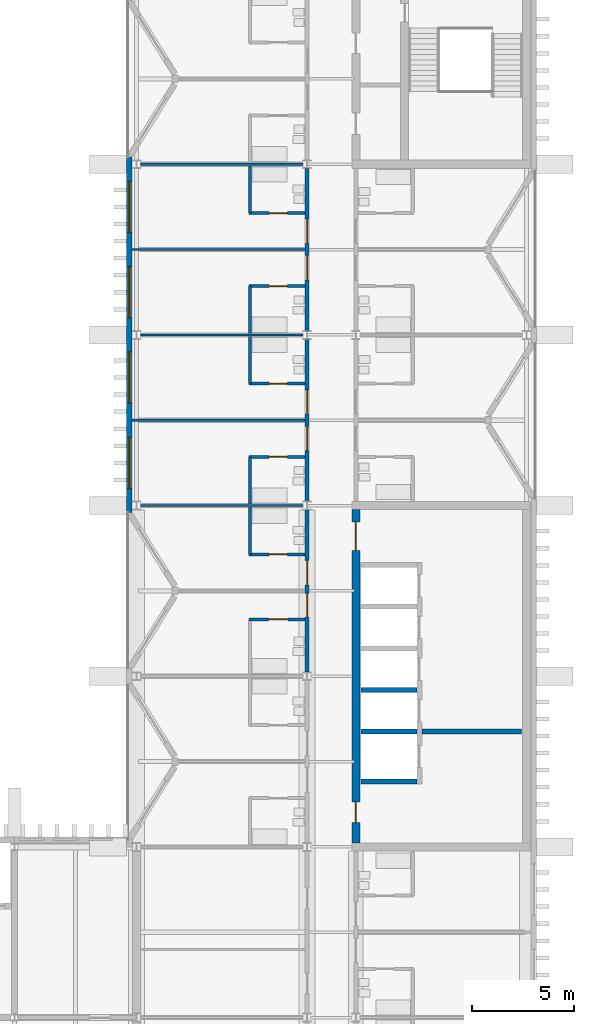
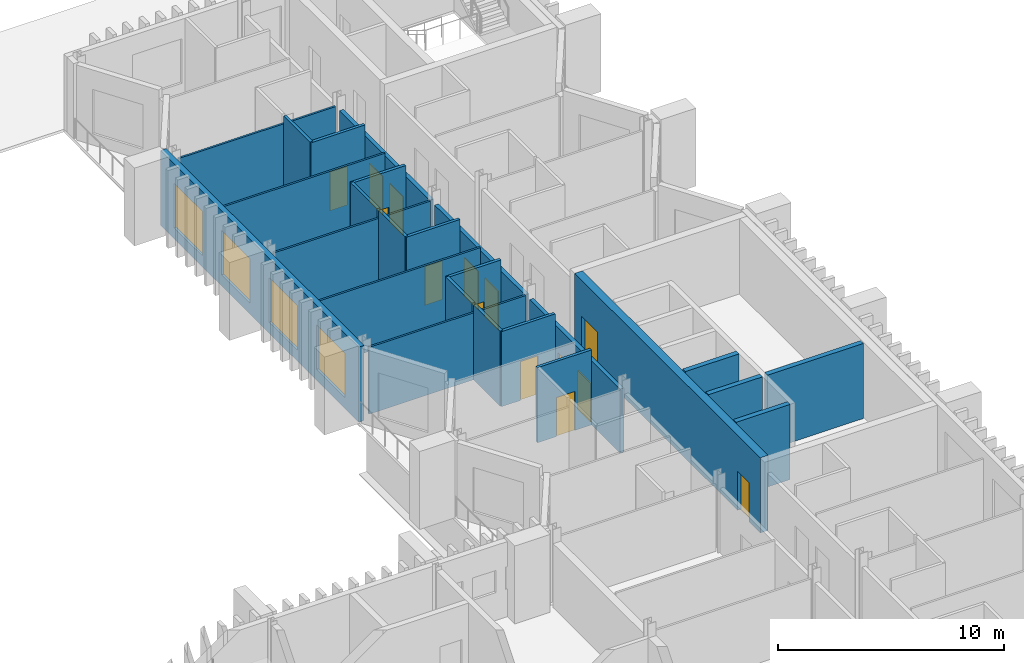
# One storey, part 76 of 100: 25 walls, 14 doors, 4 windows, 18 openings.
"""IFC4 building model written with IfcOpenShell, lengths in metres."""

from ifc_helpers import new_model, si_unit, direction, frame, frame_2d, origin, place, context, subcontext, project, spatial, rectangle, extrude, material, layer, layer_set, type_object, element, fill, save


model = new_model("IFC4")

# Units and contexts
model_context = context("Model", 3, precision=1e-05, world=origin(), true_north=direction((0.0, 1.0)))
body_context = subcontext(model_context, "Body", "Model", "MODEL_VIEW")
ifc_project = project(units=[si_unit("LENGTHUNIT", "METRE"), si_unit("AREAUNIT", "SQUARE_METRE"), si_unit("VOLUMEUNIT", "CUBIC_METRE"), si_unit("PLANEANGLEUNIT", "RADIAN"), si_unit("MASSUNIT", "GRAM", prefix="KILO")], contexts=[model_context])

# Site, building, storey
site_placement = place(None, origin())
site = spatial("IfcSite", under=ifc_project, at=site_placement, CompositionType="ELEMENT")
building_placement = place(site_placement, origin())
building = spatial("IfcBuilding", under=site, at=building_placement, Name="Cresset Court Congress Hotel", CompositionType="ELEMENT")
storey_placement = place(building_placement, frame((0.0, 0.0, 10.199951171875)))
storey = spatial("IfcBuildingStorey", under=building, at=storey_placement, Name="L02", CompositionType="ELEMENT", Elevation=10.199951171875)

# Wall, openings, doors
ifc_material_1 = material(Name="Gypsum board partition")
ifc_layer_1 = layer(ifc_material_1, 0.199951171875)
ifc_layer_set_1 = layer_set([ifc_layer_1], Name="Corridor wall 200")
wall_type_1 = type_object("IfcWallType", Name="Corridor wall 200", PredefinedType="PARTITIONING", material=ifc_layer_set_1)
wall_1_placement = place(storey_placement, frame((165.60009765625, 33.806884765625, 0.0), z_axis=(0.0, 0.0, 1.0), x_axis=(0.0, 1.0, 0.0)))
wall_1 = element("IfcWall", 1, at=wall_1_placement, inside=storey, type_object=wall_type_1, Name="A.wl.L02.065", PredefinedType="PARTITIONING", context=body_context, shape_type="SweptSolid", body=[
    extrude(rectangle(XDim=7.986083984375, YDim=0.199951171875, at=frame_2d((3.9931640625, 0.0))), origin(), (0.0, 0.0, 1.0), 3.449951171875),
])
opening_1_placement = place(wall_1_placement, frame((2.718017578125, 0.0, 0.0)))
opening_1 = element("IfcOpeningElement", 2, at=opening_1_placement, cuts=wall_1, Name="Opening DA-02-12", PredefinedType="OPENING", context=body_context, shape_type="SweptSolid", body=[
    extrude(rectangle(XDim=1.14990234375, YDim=2.10009765625, at=frame_2d((0.574951171875, 1.050048828125))), frame((0.0, 0.10986328125, 0.0), z_axis=(0.0, -1.0, 0.0), x_axis=(1.0, 0.0, 0.0)), (0.0, 0.0, 1.0), 0.219970703125),
])
opening_2_placement = place(wall_1_placement, frame((4.29296875, 0.0, 0.0)))
opening_2 = element("IfcOpeningElement", 3, at=opening_2_placement, cuts=wall_1, Name="Opening DA-02-14", PredefinedType="OPENING", context=body_context, shape_type="SweptSolid", body=[
    extrude(rectangle(XDim=1.199951171875, YDim=2.10009765625, at=frame_2d((0.60009765625, 1.050048828125))), frame((0.0, 0.10986328125, 0.0), z_axis=(0.0, -1.0, 0.0), x_axis=(1.0, 0.0, 0.0)), (0.0, 0.0, 1.0), 0.219970703125),
])
ifc_material_2 = material(Name="timber", Category="wood")
door_type_1 = type_object("IfcDoorType", Name="Accessible guest-room entry door 1150x2100 FD30S", OperationType="SINGLE_SWING_LEFT", PredefinedType="DOOR", material=ifc_material_2)
door_1_placement = place(opening_1_placement, origin())
door_1 = element("IfcDoor", 4, at=door_1_placement, inside=storey, type_object=door_type_1, Name="Door DA-02-12", OperationType="SINGLE_SWING_RIGHT", OverallHeight=2.10009765625, OverallWidth=1.14990234375, PredefinedType="DOOR", context=body_context, shape_type="SweptSolid", body=[
    extrude(rectangle(XDim=1.14990234375, YDim=2.10009765625, at=frame_2d((0.574951171875, 1.050048828125))), frame((0.0, 0.02490234375, 0.0), z_axis=(0.0, -1.0, 0.0), x_axis=(1.0, 0.0, 0.0)), (0.0, 0.0, 1.0), 0.050048828125),
])
fill(opening_1, door_1)
ifc_material_3 = material(Name="timber", Category="wood")
door_type_2 = type_object("IfcDoorType", Name="Guest-room entry door 1200x2100 FD30S", OperationType="SINGLE_SWING_LEFT", PredefinedType="DOOR", material=ifc_material_3)
door_2_placement = place(opening_2_placement, origin())
door_2 = element("IfcDoor", 5, at=door_2_placement, inside=storey, type_object=door_type_2, Name="Door DA-02-14", OperationType="SINGLE_SWING_LEFT", OverallHeight=2.10009765625, OverallWidth=1.199951171875, PredefinedType="DOOR", context=body_context, shape_type="SweptSolid", body=[
    extrude(rectangle(XDim=1.199951171875, YDim=2.10009765625, at=frame_2d((0.60009765625, 1.050048828125))), frame((0.0, 0.02490234375, 0.0), z_axis=(0.0, -1.0, 0.0), x_axis=(1.0, 0.0, 0.0)), (0.0, 0.0, 1.0), 0.050048828125),
])
fill(opening_2, door_2)

wall_2_placement = place(storey_placement, frame((165.60009765625, 42.20703125, 0.0), z_axis=(0.0, 0.0, 1.0), x_axis=(0.0, 1.0, 0.0)))
wall_2 = element("IfcWall", 6, at=wall_2_placement, inside=storey, type_object=wall_type_1, Name="A.wl.L02.066", PredefinedType="PARTITIONING", context=body_context, shape_type="SweptSolid", body=[
    extrude(rectangle(XDim=7.986083984375, YDim=0.199951171875, at=frame_2d((3.9931640625, 0.0))), origin(), (0.0, 0.0, 1.0), 3.449951171875),
])
opening_3_placement = place(wall_2_placement, frame((2.492919921875, 0.0, 0.0)))
opening_3 = element("IfcOpeningElement", 7, at=opening_3_placement, cuts=wall_2, Name="Opening DA-02-16", PredefinedType="OPENING", context=body_context, shape_type="SweptSolid", body=[
    extrude(rectangle(XDim=1.199951171875, YDim=2.10009765625, at=frame_2d((0.60009765625, 1.050048828125))), frame((0.0, 0.10986328125, 0.0), z_axis=(0.0, -1.0, 0.0), x_axis=(1.0, 0.0, 0.0)), (0.0, 0.0, 1.0), 0.219970703125),
])
opening_4_placement = place(wall_2_placement, frame((4.29296875, 0.0, 0.0)))
opening_4 = element("IfcOpeningElement", 8, at=opening_4_placement, cuts=wall_2, Name="Opening DA-02-18", PredefinedType="OPENING", context=body_context, shape_type="SweptSolid", body=[
    extrude(rectangle(XDim=1.199951171875, YDim=2.10009765625, at=frame_2d((0.60009765625, 1.050048828125))), frame((0.0, 0.10986328125, 0.0), z_axis=(0.0, -1.0, 0.0), x_axis=(1.0, 0.0, 0.0)), (0.0, 0.0, 1.0), 0.219970703125),
])
door_3_placement = place(opening_3_placement, origin())
door_3 = element("IfcDoor", 9, at=door_3_placement, inside=storey, type_object=door_type_2, Name="Door DA-02-16", OperationType="SINGLE_SWING_RIGHT", OverallHeight=2.10009765625, OverallWidth=1.199951171875, PredefinedType="DOOR", context=body_context, shape_type="SweptSolid", body=[
    extrude(rectangle(XDim=1.199951171875, YDim=2.10009765625, at=frame_2d((0.60009765625, 1.050048828125))), frame((0.0, 0.02490234375, 0.0), z_axis=(0.0, -1.0, 0.0), x_axis=(1.0, 0.0, 0.0)), (0.0, 0.0, 1.0), 0.050048828125),
])
fill(opening_3, door_3)
door_4_placement = place(opening_4_placement, origin())
door_4 = element("IfcDoor", 10, at=door_4_placement, inside=storey, type_object=door_type_2, Name="Door DA-02-18", OperationType="SINGLE_SWING_LEFT", OverallHeight=2.10009765625, OverallWidth=1.199951171875, PredefinedType="DOOR", context=body_context, shape_type="SweptSolid", body=[
    extrude(rectangle(XDim=1.199951171875, YDim=2.10009765625, at=frame_2d((0.60009765625, 1.050048828125))), frame((0.0, 0.02490234375, 0.0), z_axis=(0.0, -1.0, 0.0), x_axis=(1.0, 0.0, 0.0)), (0.0, 0.0, 1.0), 0.050048828125),
])
fill(opening_4, door_4)

wall_3_placement = place(storey_placement, frame((165.60009765625, 50.60693359375, 0.0), z_axis=(0.0, 0.0, 1.0), x_axis=(0.0, 1.0, 0.0)))
wall_3 = element("IfcWall", 11, at=wall_3_placement, inside=storey, type_object=wall_type_1, Name="A.wl.L02.067", PredefinedType="PARTITIONING", context=body_context, shape_type="SweptSolid", body=[
    extrude(rectangle(XDim=7.986083984375, YDim=0.199951171875, at=frame_2d((3.9931640625, 0.0))), origin(), (0.0, 0.0, 1.0), 3.449951171875),
])
opening_5_placement = place(wall_3_placement, frame((2.492919921875, 0.0, 0.0)))
opening_5 = element("IfcOpeningElement", 12, at=opening_5_placement, cuts=wall_3, Name="Opening DA-02-20", PredefinedType="OPENING", context=body_context, shape_type="SweptSolid", body=[
    extrude(rectangle(XDim=1.199951171875, YDim=2.10009765625, at=frame_2d((0.60009765625, 1.050048828125))), frame((0.0, 0.10986328125, 0.0), z_axis=(0.0, -1.0, 0.0), x_axis=(1.0, 0.0, 0.0)), (0.0, 0.0, 1.0), 0.219970703125),
])
opening_6_placement = place(wall_3_placement, frame((4.29296875, 0.0, 0.0)))
opening_6 = element("IfcOpeningElement", 13, at=opening_6_placement, cuts=wall_3, Name="Opening DA-02-22", PredefinedType="OPENING", context=body_context, shape_type="SweptSolid", body=[
    extrude(rectangle(XDim=1.199951171875, YDim=2.10009765625, at=frame_2d((0.60009765625, 1.050048828125))), frame((0.0, 0.10986328125, 0.0), z_axis=(0.0, -1.0, 0.0), x_axis=(1.0, 0.0, 0.0)), (0.0, 0.0, 1.0), 0.219970703125),
])
door_5_placement = place(opening_5_placement, origin())
door_5 = element("IfcDoor", 14, at=door_5_placement, inside=storey, type_object=door_type_2, Name="Door DA-02-20", OperationType="SINGLE_SWING_RIGHT", OverallHeight=2.10009765625, OverallWidth=1.199951171875, PredefinedType="DOOR", context=body_context, shape_type="SweptSolid", body=[
    extrude(rectangle(XDim=1.199951171875, YDim=2.10009765625, at=frame_2d((0.60009765625, 1.050048828125))), frame((0.0, 0.02490234375, 0.0), z_axis=(0.0, -1.0, 0.0), x_axis=(1.0, 0.0, 0.0)), (0.0, 0.0, 1.0), 0.050048828125),
])
fill(opening_5, door_5)
door_6_placement = place(opening_6_placement, origin())
door_6 = element("IfcDoor", 15, at=door_6_placement, inside=storey, type_object=door_type_2, Name="Door DA-02-22", OperationType="SINGLE_SWING_LEFT", OverallHeight=2.10009765625, OverallWidth=1.199951171875, PredefinedType="DOOR", context=body_context, shape_type="SweptSolid", body=[
    extrude(rectangle(XDim=1.199951171875, YDim=2.10009765625, at=frame_2d((0.60009765625, 1.050048828125))), frame((0.0, 0.02490234375, 0.0), z_axis=(0.0, -1.0, 0.0), x_axis=(1.0, 0.0, 0.0)), (0.0, 0.0, 1.0), 0.050048828125),
])
fill(opening_6, door_6)

# Wall, opening, door
ifc_material_4 = material(Name="Gypsum board partition")
ifc_layer_2 = layer(ifc_material_4, 0.14990234375)
ifc_layer_set_2 = layer_set([ifc_layer_2], Name="En-suite wall 150")
wall_type_2 = type_object("IfcWallType", Name="En-suite wall 150", PredefinedType="PARTITIONING", material=ifc_layer_set_2)
wall_4_placement = place(storey_placement, frame((162.75, 36.39990234375, 0.0), z_axis=(0.0, 0.0, 1.0), x_axis=(1.0, 0.0, 0.0)))
wall_4 = element("IfcWall", 16, at=wall_4_placement, inside=storey, type_object=wall_type_2, Name="A.wl.L02.006", PredefinedType="PARTITIONING", context=body_context, shape_type="SweptSolid", body=[
    extrude(rectangle(XDim=2.75, YDim=0.14990234375, at=frame_2d((1.375, 0.0))), origin(), (0.0, 0.0, 1.0), 4.050048828125),
])
opening_7_placement = place(wall_4_placement, frame((0.955078125, 0.0, 0.0)))
opening_7 = element("IfcOpeningElement", 17, at=opening_7_placement, cuts=wall_4, Name="Opening DA-02-11", PredefinedType="OPENING", context=body_context, shape_type="SweptSolid", body=[
    extrude(rectangle(XDim=0.949951171875, YDim=2.10009765625, at=frame_2d((0.47509765625, 1.050048828125))), frame((0.0, 0.0849609375, 0.0), z_axis=(0.0, -1.0, 0.0), x_axis=(1.0, 0.0, 0.0)), (0.0, 0.0, 1.0), 0.169921875),
])
ifc_material_5 = material(Name="timber", Category="wood")
door_type_3 = type_object("IfcDoorType", Name="Accessible en-suite door 950x2100", OperationType="SINGLE_SWING_LEFT", PredefinedType="DOOR", material=ifc_material_5)
door_7_placement = place(opening_7_placement, origin())
door_7 = element("IfcDoor", 18, at=door_7_placement, inside=storey, type_object=door_type_3, Name="Door DA-02-11", OperationType="SINGLE_SWING_RIGHT", OverallHeight=2.10009765625, OverallWidth=0.949951171875, PredefinedType="DOOR", context=body_context, shape_type="SweptSolid", body=[
    extrude(rectangle(XDim=0.949951171875, YDim=2.10009765625, at=frame_2d((0.47509765625, 1.050048828125))), frame((0.0, 0.02490234375, 0.0), z_axis=(0.0, -1.0, 0.0), x_axis=(1.0, 0.0, 0.0)), (0.0, 0.0, 1.0), 0.050048828125),
])
fill(opening_7, door_7)

# Wall
wall_5_placement = place(storey_placement, frame((162.800048828125, 39.60009765625, 0.0), z_axis=(0.0, 0.0, 1.0), x_axis=(0.0, 1.0, 0.0)))
element("IfcWall", 19, at=wall_5_placement, inside=storey, type_object=wall_type_2, Name="A.wl.L02.007", PredefinedType="PARTITIONING", context=body_context, shape_type="SweptSolid", body=[
    extrude(rectangle(XDim=2.324951171875, YDim=0.14990234375, at=frame_2d((1.16259765625, 0.0))), origin(), (0.0, 0.0, 1.0), 4.050048828125),
])

# Wall, opening, door
wall_6_placement = place(storey_placement, frame((162.75, 39.60009765625, 0.0), z_axis=(0.0, 0.0, 1.0), x_axis=(1.0, 0.0, 0.0)))
wall_6 = element("IfcWall", 20, at=wall_6_placement, inside=storey, type_object=wall_type_2, Name="A.wl.L02.008", PredefinedType="PARTITIONING", context=body_context, shape_type="SweptSolid", body=[
    extrude(rectangle(XDim=2.75, YDim=0.14990234375, at=frame_2d((1.375, 0.0))), origin(), (0.0, 0.0, 1.0), 4.050048828125),
])
opening_8_placement = place(wall_6_placement, frame((0.97998046875, 0.0, 0.0)))
opening_8 = element("IfcOpeningElement", 21, at=opening_8_placement, cuts=wall_6, Name="Opening DA-02-13", PredefinedType="OPENING", context=body_context, shape_type="SweptSolid", body=[
    extrude(rectangle(XDim=0.89990234375, YDim=2.10009765625, at=frame_2d((0.449951171875, 1.050048828125))), frame((0.0, 0.0849609375, 0.0), z_axis=(0.0, -1.0, 0.0), x_axis=(1.0, 0.0, 0.0)), (0.0, 0.0, 1.0), 0.169921875),
])
ifc_material_6 = material(Name="timber", Category="wood")
door_type_4 = type_object("IfcDoorType", Name="En-suite door 900x2100", OperationType="SINGLE_SWING_LEFT", PredefinedType="DOOR", material=ifc_material_6)
door_8_placement = place(opening_8_placement, origin())
door_8 = element("IfcDoor", 22, at=door_8_placement, inside=storey, type_object=door_type_4, Name="Door DA-02-13", OperationType="SINGLE_SWING_LEFT", OverallHeight=2.10009765625, OverallWidth=0.89990234375, PredefinedType="DOOR", context=body_context, shape_type="SweptSolid", body=[
    extrude(rectangle(XDim=0.89990234375, YDim=2.10009765625, at=frame_2d((0.449951171875, 1.050048828125))), frame((0.0, 0.02490234375, 0.0), z_axis=(0.0, -1.0, 0.0), x_axis=(1.0, 0.0, 0.0)), (0.0, 0.0, 1.0), 0.050048828125),
])
fill(opening_8, door_8)

# Wall
wall_7_placement = place(storey_placement, frame((162.800048828125, 42.074951171875, 0.0), z_axis=(0.0, 0.0, 1.0), x_axis=(0.0, 1.0, 0.0)))
element("IfcWall", 23, at=wall_7_placement, inside=storey, type_object=wall_type_2, Name="A.wl.L02.009", PredefinedType="PARTITIONING", context=body_context, shape_type="SweptSolid", body=[
    extrude(rectangle(XDim=2.324951171875, YDim=0.14990234375, at=frame_2d((1.16259765625, 0.0))), origin(), (0.0, 0.0, 1.0), 4.050048828125),
])

# Wall, opening, door
wall_8_placement = place(storey_placement, frame((162.75, 44.39990234375, 0.0), z_axis=(0.0, 0.0, 1.0), x_axis=(1.0, 0.0, 0.0)))
wall_8 = element("IfcWall", 24, at=wall_8_placement, inside=storey, type_object=wall_type_2, Name="A.wl.L02.010", PredefinedType="PARTITIONING", context=body_context, shape_type="SweptSolid", body=[
    extrude(rectangle(XDim=2.75, YDim=0.14990234375, at=frame_2d((1.375, 0.0))), origin(), (0.0, 0.0, 1.0), 4.050048828125),
])
opening_9_placement = place(wall_8_placement, frame((0.97998046875, 0.0, 0.0)))
opening_9 = element("IfcOpeningElement", 25, at=opening_9_placement, cuts=wall_8, Name="Opening DA-02-15", PredefinedType="OPENING", context=body_context, shape_type="SweptSolid", body=[
    extrude(rectangle(XDim=0.89990234375, YDim=2.10009765625, at=frame_2d((0.449951171875, 1.050048828125))), frame((0.0, 0.0849609375, 0.0), z_axis=(0.0, -1.0, 0.0), x_axis=(1.0, 0.0, 0.0)), (0.0, 0.0, 1.0), 0.169921875),
])
door_9_placement = place(opening_9_placement, origin())
door_9 = element("IfcDoor", 26, at=door_9_placement, inside=storey, type_object=door_type_4, Name="Door DA-02-15", OperationType="SINGLE_SWING_RIGHT", OverallHeight=2.10009765625, OverallWidth=0.89990234375, PredefinedType="DOOR", context=body_context, shape_type="SweptSolid", body=[
    extrude(rectangle(XDim=0.89990234375, YDim=2.10009765625, at=frame_2d((0.449951171875, 1.050048828125))), frame((0.0, 0.02490234375, 0.0), z_axis=(0.0, -1.0, 0.0), x_axis=(1.0, 0.0, 0.0)), (0.0, 0.0, 1.0), 0.050048828125),
])
fill(opening_9, door_9)

# Wall
wall_9_placement = place(storey_placement, frame((162.800048828125, 48.0, 0.0), z_axis=(0.0, 0.0, 1.0), x_axis=(0.0, 1.0, 0.0)))
element("IfcWall", 27, at=wall_9_placement, inside=storey, type_object=wall_type_2, Name="A.wl.L02.011", PredefinedType="PARTITIONING", context=body_context, shape_type="SweptSolid", body=[
    extrude(rectangle(XDim=2.324951171875, YDim=0.14990234375, at=frame_2d((1.16259765625, 0.0))), origin(), (0.0, 0.0, 1.0), 4.050048828125),
])

# Wall, opening, door
wall_10_placement = place(storey_placement, frame((162.75, 48.0, 0.0), z_axis=(0.0, 0.0, 1.0), x_axis=(1.0, 0.0, 0.0)))
wall_10 = element("IfcWall", 28, at=wall_10_placement, inside=storey, type_object=wall_type_2, Name="A.wl.L02.012", PredefinedType="PARTITIONING", context=body_context, shape_type="SweptSolid", body=[
    extrude(rectangle(XDim=2.75, YDim=0.14990234375, at=frame_2d((1.375, 0.0))), origin(), (0.0, 0.0, 1.0), 4.050048828125),
])
opening_10_placement = place(wall_10_placement, frame((0.97998046875, 0.0, 0.0)))
opening_10 = element("IfcOpeningElement", 29, at=opening_10_placement, cuts=wall_10, Name="Opening DA-02-17", PredefinedType="OPENING", context=body_context, shape_type="SweptSolid", body=[
    extrude(rectangle(XDim=0.89990234375, YDim=2.10009765625, at=frame_2d((0.449951171875, 1.050048828125))), frame((0.0, 0.0849609375, 0.0), z_axis=(0.0, -1.0, 0.0), x_axis=(1.0, 0.0, 0.0)), (0.0, 0.0, 1.0), 0.169921875),
])
door_10_placement = place(opening_10_placement, origin())
door_10 = element("IfcDoor", 30, at=door_10_placement, inside=storey, type_object=door_type_4, Name="Door DA-02-17", OperationType="SINGLE_SWING_LEFT", OverallHeight=2.10009765625, OverallWidth=0.89990234375, PredefinedType="DOOR", context=body_context, shape_type="SweptSolid", body=[
    extrude(rectangle(XDim=0.89990234375, YDim=2.10009765625, at=frame_2d((0.449951171875, 1.050048828125))), frame((0.0, 0.02490234375, 0.0), z_axis=(0.0, -1.0, 0.0), x_axis=(1.0, 0.0, 0.0)), (0.0, 0.0, 1.0), 0.050048828125),
])
fill(opening_10, door_10)

# Wall
wall_11_placement = place(storey_placement, frame((162.800048828125, 50.47509765625, 0.0), z_axis=(0.0, 0.0, 1.0), x_axis=(0.0, 1.0, 0.0)))
element("IfcWall", 31, at=wall_11_placement, inside=storey, type_object=wall_type_2, Name="A.wl.L02.013", PredefinedType="PARTITIONING", context=body_context, shape_type="SweptSolid", body=[
    extrude(rectangle(XDim=2.324951171875, YDim=0.14990234375, at=frame_2d((1.16259765625, 0.0))), origin(), (0.0, 0.0, 1.0), 4.050048828125),
])

# Wall, opening, door
wall_12_placement = place(storey_placement, frame((162.75, 52.800048828125, 0.0), z_axis=(0.0, 0.0, 1.0), x_axis=(1.0, 0.0, 0.0)))
wall_12 = element("IfcWall", 32, at=wall_12_placement, inside=storey, type_object=wall_type_2, Name="A.wl.L02.014", PredefinedType="PARTITIONING", context=body_context, shape_type="SweptSolid", body=[
    extrude(rectangle(XDim=2.75, YDim=0.14990234375, at=frame_2d((1.375, 0.0))), origin(), (0.0, 0.0, 1.0), 4.050048828125),
])
opening_11_placement = place(wall_12_placement, frame((0.97998046875, 0.0, 0.0)))
opening_11 = element("IfcOpeningElement", 33, at=opening_11_placement, cuts=wall_12, Name="Opening DA-02-19", PredefinedType="OPENING", context=body_context, shape_type="SweptSolid", body=[
    extrude(rectangle(XDim=0.89990234375, YDim=2.10009765625, at=frame_2d((0.449951171875, 1.050048828125))), frame((0.0, 0.0849609375, 0.0), z_axis=(0.0, -1.0, 0.0), x_axis=(1.0, 0.0, 0.0)), (0.0, 0.0, 1.0), 0.169921875),
])
door_11_placement = place(opening_11_placement, origin())
door_11 = element("IfcDoor", 34, at=door_11_placement, inside=storey, type_object=door_type_4, Name="Door DA-02-19", OperationType="SINGLE_SWING_RIGHT", OverallHeight=2.10009765625, OverallWidth=0.89990234375, PredefinedType="DOOR", context=body_context, shape_type="SweptSolid", body=[
    extrude(rectangle(XDim=0.89990234375, YDim=2.10009765625, at=frame_2d((0.449951171875, 1.050048828125))), frame((0.0, 0.02490234375, 0.0), z_axis=(0.0, -1.0, 0.0), x_axis=(1.0, 0.0, 0.0)), (0.0, 0.0, 1.0), 0.050048828125),
])
fill(opening_11, door_11)

# Wall
wall_13_placement = place(storey_placement, frame((162.800048828125, 56.39990234375, 0.0), z_axis=(0.0, 0.0, 1.0), x_axis=(0.0, 1.0, 0.0)))
element("IfcWall", 35, at=wall_13_placement, inside=storey, type_object=wall_type_2, Name="A.wl.L02.015", PredefinedType="PARTITIONING", context=body_context, shape_type="SweptSolid", body=[
    extrude(rectangle(XDim=2.3251953125, YDim=0.14990234375, at=frame_2d((1.16259765625, 0.0))), origin(), (0.0, 0.0, 1.0), 4.050048828125),
])

# Wall, opening, door
wall_14_placement = place(storey_placement, frame((162.75, 56.39990234375, 0.0), z_axis=(0.0, 0.0, 1.0), x_axis=(1.0, 0.0, 0.0)))
wall_14 = element("IfcWall", 36, at=wall_14_placement, inside=storey, type_object=wall_type_2, Name="A.wl.L02.016", PredefinedType="PARTITIONING", context=body_context, shape_type="SweptSolid", body=[
    extrude(rectangle(XDim=2.75, YDim=0.14990234375, at=frame_2d((1.375, 0.0))), origin(), (0.0, 0.0, 1.0), 4.050048828125),
])
opening_12_placement = place(wall_14_placement, frame((0.97998046875, 0.0, 0.0)))
opening_12 = element("IfcOpeningElement", 37, at=opening_12_placement, cuts=wall_14, Name="Opening DA-02-21", PredefinedType="OPENING", context=body_context, shape_type="SweptSolid", body=[
    extrude(rectangle(XDim=0.89990234375, YDim=2.10009765625, at=frame_2d((0.449951171875, 1.050048828125))), frame((0.0, 0.0849609375, 0.0), z_axis=(0.0, -1.0, 0.0), x_axis=(1.0, 0.0, 0.0)), (0.0, 0.0, 1.0), 0.169921875),
])
door_12_placement = place(opening_12_placement, origin())
door_12 = element("IfcDoor", 38, at=door_12_placement, inside=storey, type_object=door_type_4, Name="Door DA-02-21", OperationType="SINGLE_SWING_LEFT", OverallHeight=2.10009765625, OverallWidth=0.89990234375, PredefinedType="DOOR", context=body_context, shape_type="SweptSolid", body=[
    extrude(rectangle(XDim=0.89990234375, YDim=2.10009765625, at=frame_2d((0.449951171875, 1.050048828125))), frame((0.0, 0.02490234375, 0.0), z_axis=(0.0, -1.0, 0.0), x_axis=(1.0, 0.0, 0.0)), (0.0, 0.0, 1.0), 0.050048828125),
])
fill(opening_12, door_12)

# Wall, openings, windows
ifc_material_7 = material(Name="Precast concrete C50", Category="concrete")
ifc_layer_3 = layer(ifc_material_7, 0.280029296875)
ifc_layer_set_3 = layer_set([ifc_layer_3], Name="External wall 280")
wall_type_3 = type_object("IfcWallType", Name="External wall 280", PredefinedType="SOLIDWALL", material=ifc_layer_set_3)
wall_15_placement = place(storey_placement, frame((156.840087890625, 41.64990234375, 0.0), z_axis=(0.0, 0.0, 1.0), x_axis=(0.0, 1.0, 0.0)))
wall_15 = element("IfcWall", 39, at=wall_15_placement, inside=storey, type_object=wall_type_3, Name="A.ew.L02.W.3", PredefinedType="SOLIDWALL", context=body_context, shape_type="SweptSolid", body=[
    extrude(rectangle(XDim=17.5, YDim=0.280029296875, at=frame_2d((8.75, 0.0))), origin(), (0.0, 0.0, 1.0), 4.050048828125),
])
opening_13_placement = place(wall_15_placement, frame((1.18994140625, 0.0, 0.60009765625)))
opening_13 = element("IfcOpeningElement", 40, at=opening_13_placement, cuts=wall_15, Name="Opening NA-02-05", PredefinedType="OPENING", context=body_context, shape_type="SweptSolid", body=[
    extrude(rectangle(XDim=2.52001953125, YDim=2.39990234375, at=frame_2d((1.260009765625, 1.199951171875))), frame((0.0, 0.14990234375, 0.0), z_axis=(0.0, -1.0, 0.0), x_axis=(1.0, 0.0, 0.0)), (0.0, 0.0, 1.0), 0.300048828125),
])
opening_14_placement = place(wall_15_placement, frame((5.389892578125, 0.0, 0.60009765625)))
opening_14 = element("IfcOpeningElement", 41, at=opening_14_placement, cuts=wall_15, Name="Opening NA-02-06", PredefinedType="OPENING", context=body_context, shape_type="SweptSolid", body=[
    extrude(rectangle(XDim=2.52001953125, YDim=2.39990234375, at=frame_2d((1.260009765625, 1.199951171875))), frame((0.0, 0.14990234375, 0.0), z_axis=(0.0, -1.0, 0.0), x_axis=(1.0, 0.0, 0.0)), (0.0, 0.0, 1.0), 0.300048828125),
])
opening_15_placement = place(wall_15_placement, frame((9.590087890625, 0.0, 0.60009765625)))
opening_15 = element("IfcOpeningElement", 42, at=opening_15_placement, cuts=wall_15, Name="Opening NA-02-07", PredefinedType="OPENING", context=body_context, shape_type="SweptSolid", body=[
    extrude(rectangle(XDim=2.52001953125, YDim=2.39990234375, at=frame_2d((1.260009765625, 1.199951171875))), frame((0.0, 0.14990234375, 0.0), z_axis=(0.0, -1.0, 0.0), x_axis=(1.0, 0.0, 0.0)), (0.0, 0.0, 1.0), 0.300048828125),
])
opening_16_placement = place(wall_15_placement, frame((13.7900390625, 0.0, 0.60009765625)))
opening_16 = element("IfcOpeningElement", 43, at=opening_16_placement, cuts=wall_15, Name="Opening NA-02-08", PredefinedType="OPENING", context=body_context, shape_type="SweptSolid", body=[
    extrude(rectangle(XDim=2.52001953125, YDim=2.39990234375, at=frame_2d((1.260009765625, 1.199951171875))), frame((0.0, 0.14990234375, 0.0), z_axis=(0.0, -1.0, 0.0), x_axis=(1.0, 0.0, 0.0)), (0.0, 0.0, 1.0), 0.300048828125),
])
ifc_material_8 = material(Name="Aluminium and glass", Category="aluminium")
window_type = type_object("IfcWindowType", Name="Window 2520x2400", PartitioningType="SINGLE_PANEL", PredefinedType="WINDOW", material=ifc_material_8)
window_1_placement = place(opening_13_placement, origin())
window_1 = element("IfcWindow", 44, at=window_1_placement, inside=storey, type_object=window_type, Name="Window NA-02-05", OverallHeight=2.39990234375, OverallWidth=2.52001953125, PartitioningType="SINGLE_PANEL", PredefinedType="WINDOW", context=body_context, shape_type="SweptSolid", body=[
    extrude(rectangle(XDim=2.52001953125, YDim=2.39990234375, at=frame_2d((1.260009765625, 1.199951171875))), frame((0.0, 0.030029296875, 0.0), z_axis=(0.0, -1.0, 0.0), x_axis=(1.0, 0.0, 0.0)), (0.0, 0.0, 1.0), 0.06005859375),
])
fill(opening_13, window_1)
window_2_placement = place(opening_14_placement, origin())
window_2 = element("IfcWindow", 45, at=window_2_placement, inside=storey, type_object=window_type, Name="Window NA-02-06", OverallHeight=2.39990234375, OverallWidth=2.52001953125, PartitioningType="SINGLE_PANEL", PredefinedType="WINDOW", context=body_context, shape_type="SweptSolid", body=[
    extrude(rectangle(XDim=2.52001953125, YDim=2.39990234375, at=frame_2d((1.260009765625, 1.199951171875))), frame((0.0, 0.030029296875, 0.0), z_axis=(0.0, -1.0, 0.0), x_axis=(1.0, 0.0, 0.0)), (0.0, 0.0, 1.0), 0.06005859375),
])
fill(opening_14, window_2)
window_3_placement = place(opening_15_placement, origin())
window_3 = element("IfcWindow", 46, at=window_3_placement, inside=storey, type_object=window_type, Name="Window NA-02-07", OverallHeight=2.39990234375, OverallWidth=2.52001953125, PartitioningType="SINGLE_PANEL", PredefinedType="WINDOW", context=body_context, shape_type="SweptSolid", body=[
    extrude(rectangle(XDim=2.52001953125, YDim=2.39990234375, at=frame_2d((1.260009765625, 1.199951171875))), frame((0.0, 0.030029296875, 0.0), z_axis=(0.0, -1.0, 0.0), x_axis=(1.0, 0.0, 0.0)), (0.0, 0.0, 1.0), 0.06005859375),
])
fill(opening_15, window_3)
window_4_placement = place(opening_16_placement, origin())
window_4 = element("IfcWindow", 47, at=window_4_placement, inside=storey, type_object=window_type, Name="Window NA-02-08", OverallHeight=2.39990234375, OverallWidth=2.52001953125, PartitioningType="SINGLE_PANEL", PredefinedType="WINDOW", context=body_context, shape_type="SweptSolid", body=[
    extrude(rectangle(XDim=2.52001953125, YDim=2.39990234375, at=frame_2d((1.260009765625, 1.199951171875))), frame((0.0, 0.030029296875, 0.0), z_axis=(0.0, -1.0, 0.0), x_axis=(1.0, 0.0, 0.0)), (0.0, 0.0, 1.0), 0.06005859375),
])
fill(opening_16, window_4)

# Walls
ifc_material_9 = material(Name="Gypsum board partition")
ifc_layer_4 = layer(ifc_material_9, 0.10009765625)
ifc_layer_set_4 = layer_set([ifc_layer_4], Name="Guest-room partition 100")
wall_type_4 = type_object("IfcWallType", Name="Guest-room partition 100", PredefinedType="PARTITIONING", material=ifc_layer_set_4)
for number, where, z_axis, x_axis, name in (
    (48, (157.402587890625, 42.0, 0.0), (0.0, 0.0, 1.0), (1.0, 0.0, 0.0), "A.wl.L02.041"),
    (49, (157.402587890625, 50.39990234375, 0.0), (0.0, 0.0, 1.0), (1.0, 0.0, 0.0), "A.wl.L02.042"),
    (50, (157.402587890625, 58.800048828125, 0.0), (0.0, 0.0, 1.0), (1.0, 0.0, 0.0), "A.wl.L02.043"),
):
    element("IfcWall", number, at=place(storey_placement, frame(where, z_axis=z_axis, x_axis=x_axis)), inside=storey, type_object=wall_type_4, Name=name, PredefinedType="PARTITIONING", context=body_context, shape_type="SweptSolid", body=[
        extrude(rectangle(XDim=7.994873046875, YDim=0.10009765625, at=frame_2d((3.99755859375, 0.0))), origin(), (0.0, 0.0, 1.0), 3.60400390625),
    ])
for number, where, z_axis, x_axis, name in (
    (51, (156.97998046875, 46.199951171875, 0.0), (0.0, 0.0, 1.0), (1.0, 0.0, 0.0), "A.wl.L02.051"),
    (52, (156.97998046875, 54.60009765625, 0.0), (0.0, 0.0, 1.0), (1.0, 0.0, 0.0), "A.wl.L02.052"),
):
    element("IfcWall", number, at=place(storey_placement, frame(where, z_axis=z_axis, x_axis=x_axis)), inside=storey, type_object=wall_type_4, Name=name, PredefinedType="PARTITIONING", context=body_context, shape_type="SweptSolid", body=[
        extrude(rectangle(XDim=8.52001953125, YDim=0.10009765625, at=frame_2d((4.260009765625, 0.0))), origin(), (0.0, 0.0, 1.0), 3.60400390625),
    ])

# Wall, openings, doors
ifc_material_10 = material(Name="Concrete C50", Category="concrete")
ifc_layer_5 = layer(ifc_material_10, 0.39990234375)
ifc_layer_set_5 = layer_set([ifc_layer_5], Name="Lift core wall 400")
wall_type_5 = type_object("IfcWallType", Name="Lift core wall 400", PredefinedType="SOLIDWALL", material=ifc_layer_set_5)
wall_16_placement = place(storey_placement, frame((168.0, 25.39990234375, 0.0), z_axis=(0.0, 0.0, 1.0), x_axis=(0.0, 1.0, 0.0)))
wall_16 = element("IfcWall", 53, at=wall_16_placement, inside=storey, type_object=wall_type_5, Name="A.cw.LC-A.L02.W", PredefinedType="SOLIDWALL", context=body_context, shape_type="SweptSolid", body=[
    extrude(rectangle(XDim=16.400146484375, YDim=0.39990234375, at=frame_2d((8.2001953125, 0.0))), origin(), (0.0, 0.0, 1.0), 4.050048828125),
])
opening_17_placement = place(wall_16_placement, frame((1.0, 0.0, 0.0)))
opening_17 = element("IfcOpeningElement", 54, at=opening_17_placement, cuts=wall_16, Name="Opening DA-02-54", PredefinedType="OPENING", context=body_context, shape_type="SweptSolid", body=[
    extrude(rectangle(XDim=1.0, YDim=2.10009765625, at=frame_2d((0.5, 1.050048828125))), frame((0.0, 0.2099609375, 0.0), z_axis=(0.0, -1.0, 0.0), x_axis=(1.0, 0.0, 0.0)), (0.0, 0.0, 1.0), 0.419921875),
])
opening_18_placement = place(wall_16_placement, frame((14.39990234375, 0.0, 0.0)))
opening_18 = element("IfcOpeningElement", 55, at=opening_18_placement, cuts=wall_16, Name="Opening DA-02-55", PredefinedType="OPENING", context=body_context, shape_type="SweptSolid", body=[
    extrude(rectangle(XDim=1.39990234375, YDim=2.10009765625, at=frame_2d((0.699951171875, 1.050048828125))), frame((0.0, 0.2099609375, 0.0), z_axis=(0.0, -1.0, 0.0), x_axis=(1.0, 0.0, 0.0)), (0.0, 0.0, 1.0), 0.419921875),
])
ifc_material_11 = material(Name="steel", Category="steel")
door_type_5 = type_object("IfcDoorType", Name="Lobby door 1000x2100 FD60", OperationType="SINGLE_SWING_LEFT", PredefinedType="DOOR", material=ifc_material_11)
door_13_placement = place(opening_17_placement, origin())
door_13 = element("IfcDoor", 56, at=door_13_placement, inside=storey, type_object=door_type_5, Name="Door DA-02-54", OperationType="SINGLE_SWING_RIGHT", OverallHeight=2.10009765625, OverallWidth=1.0, PredefinedType="DOOR", context=body_context, shape_type="SweptSolid", body=[
    extrude(rectangle(XDim=1.0, YDim=2.10009765625, at=frame_2d((0.5, 1.050048828125))), frame((0.0, 0.02490234375, 0.0), z_axis=(0.0, -1.0, 0.0), x_axis=(1.0, 0.0, 0.0)), (0.0, 0.0, 1.0), 0.050048828125),
])
fill(opening_17, door_13)
ifc_material_12 = material(Name="steel", Category="steel")
door_type_6 = type_object("IfcDoorType", Name="Lobby door 1400x2100 FD60", OperationType="DOUBLE_DOOR_DOUBLE_SWING", PredefinedType="DOOR", material=ifc_material_12)
door_14_placement = place(opening_18_placement, origin())
door_14 = element("IfcDoor", 57, at=door_14_placement, inside=storey, type_object=door_type_6, Name="Door DA-02-55", OperationType="DOUBLE_DOOR_DOUBLE_SWING", OverallHeight=2.10009765625, OverallWidth=1.39990234375, PredefinedType="DOOR", context=body_context, shape_type="SweptSolid", body=[
    extrude(rectangle(XDim=1.39990234375, YDim=2.10009765625, at=frame_2d((0.699951171875, 1.050048828125))), frame((0.0, 0.02490234375, 0.0), z_axis=(0.0, -1.0, 0.0), x_axis=(1.0, 0.0, 0.0)), (0.0, 0.0, 1.0), 0.050048828125),
])
fill(opening_18, door_14)

# Walls
ifc_material_13 = material(Name="Concrete C50", Category="concrete")
ifc_layer_6 = layer(ifc_material_13, 0.25)
ifc_layer_set_6 = layer_set([ifc_layer_6], Name="Lift shaft wall 250")
wall_type_6 = type_object("IfcWallType", Name="Lift shaft wall 250", PredefinedType="SOLIDWALL", material=ifc_layer_set_6)
for number, where, z_axis, x_axis, name in (
    (58, (168.25, 28.425048828125, 0.0), (0.0, 0.0, 1.0), (1.0, 0.0, 0.0), "A.wl.L02.078"),
    (59, (168.25, 30.875, 0.0), (0.0, 0.0, 1.0), (1.0, 0.0, 0.0), "A.wl.L02.079"),
    (60, (168.25, 32.925048828125, 0.0), (0.0, 0.0, 1.0), (1.0, 0.0, 0.0), "A.wl.L02.080"),
):
    element("IfcWall", number, at=place(storey_placement, frame(where, z_axis=z_axis, x_axis=x_axis)), inside=storey, type_object=wall_type_6, Name=name, PredefinedType="SOLIDWALL", context=body_context, shape_type="SweptSolid", body=[
        extrude(rectangle(XDim=2.75, YDim=0.25, at=frame_2d((1.375, 0.0))), origin(), (0.0, 0.0, 1.0), 4.050048828125),
    ])
wall_17_placement = place(storey_placement, frame((171.25, 30.875, 0.0), z_axis=(0.0, 0.0, 1.0), x_axis=(1.0, 0.0, 0.0)))
element("IfcWall", 61, at=wall_17_placement, inside=storey, type_object=wall_type_6, Name="A.wl.L02.084", PredefinedType="SOLIDWALL", context=body_context, shape_type="SweptSolid", body=[
    extrude(rectangle(XDim=4.89990234375, YDim=0.25, at=frame_2d((2.449951171875, 0.0))), origin(), (0.0, 0.0, 1.0), 4.050048828125),
])

save(model, "model.ifc")
